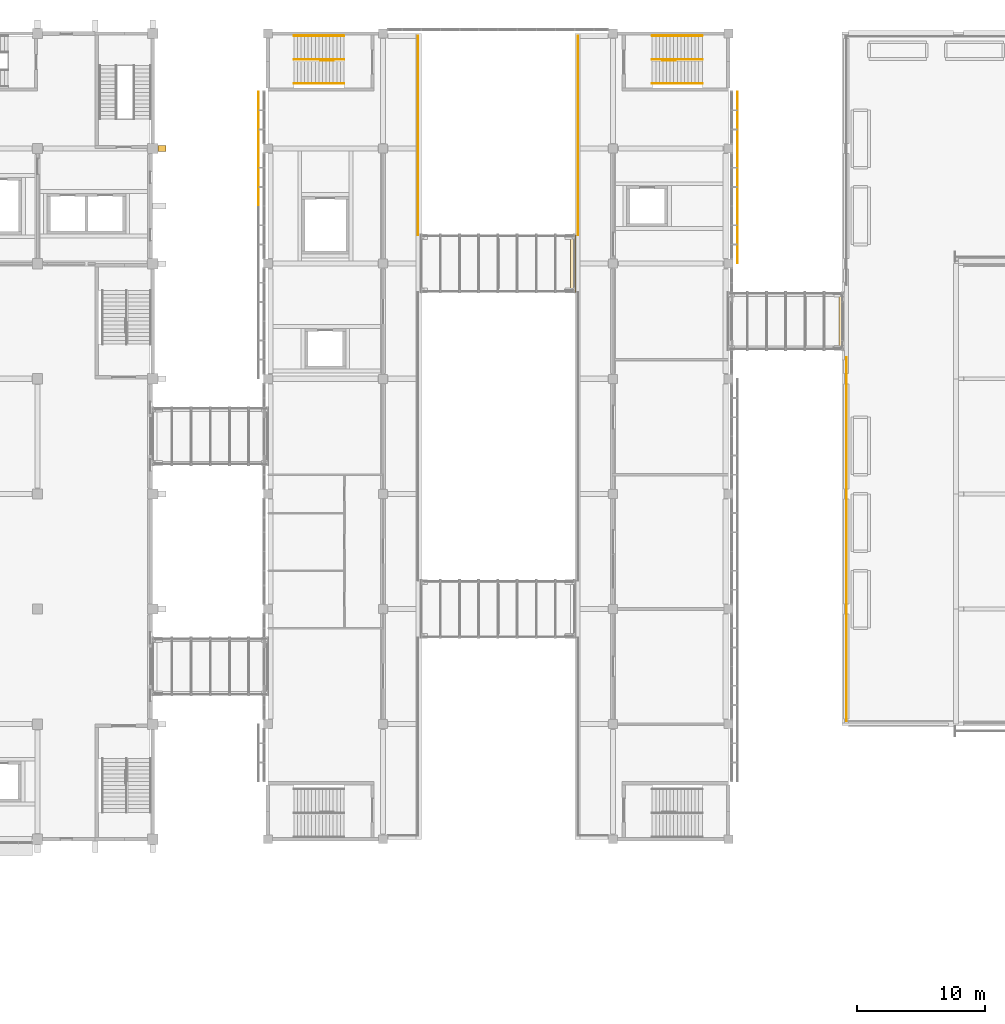
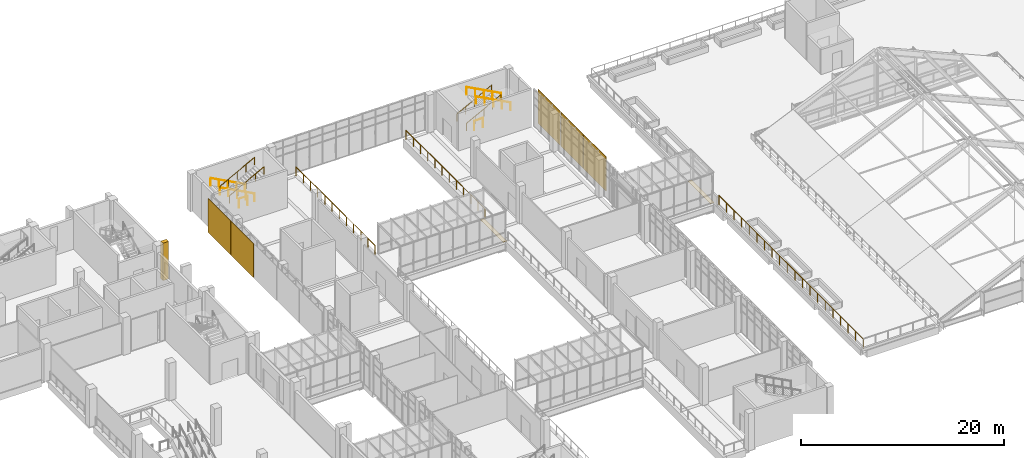
# One storey, part 101 of 106: 13 railings, 8 coverings.
"""IFC4 building model written with IfcOpenShell, lengths in metres."""

from ifc_helpers import new_model, si_unit, direction, frame, origin, origin_2d, place, context, subcontext, project, spatial, rectangle, circle, extrude, material, layer, layer_set, type_object, element, save


model = new_model("IFC4")

# Units and contexts
model_context = context("Model", 3, precision=1e-05, world=origin(), true_north=direction((0.0, 1.0)))
body_context = subcontext(model_context, "Body", "Model", "MODEL_VIEW")
ifc_project = project(units=[si_unit("LENGTHUNIT", "METRE"), si_unit("AREAUNIT", "SQUARE_METRE"), si_unit("VOLUMEUNIT", "CUBIC_METRE"), si_unit("PLANEANGLEUNIT", "RADIAN"), si_unit("MASSUNIT", "GRAM", prefix="KILO")], contexts=[model_context])

# Site, building, storey
site_placement = place(None, origin())
site = spatial("IfcSite", under=ifc_project, at=site_placement, CompositionType="ELEMENT")
building_placement = place(site_placement, origin())
building = spatial("IfcBuilding", under=site, at=building_placement, Name="Guidao Yard Department Store", CompositionType="ELEMENT")
storey_placement = place(building_placement, frame((0.0, 0.0, 10.5)))
storey = spatial("IfcBuildingStorey", under=building, at=storey_placement, Name="L02", CompositionType="ELEMENT", Elevation=10.5)

# Coverings
ifc_material_1 = material(Name="Stainless steel 316", Category="steel")
ifc_layer_1 = layer(ifc_material_1, 0.010009765625)
ifc_layer_set_1 = layer_set([ifc_layer_1], Name="Bridge joint cover JC1 stainless steel 10 x 425")
covering_type_1 = type_object("IfcCoveringType", Name="Bridge joint cover JC1 stainless steel 10 x 425", PredefinedType="FLOORING", material=ifc_layer_set_1)
for number, where, z_axis, x_axis, name in (
    (1, (116.887451171875, 85.5, 0.0), (0.0, 0.0, 1.0), (1.0, 0.0, 0.0), "Bridge joint cover plate BR08"),
    (2, (95.887451171875, 90.0, 0.0), (0.0, 0.0, 1.0), (1.0, 0.0, 0.0), "Bridge joint cover plate BR12"),
):
    element("IfcCovering", number, at=place(storey_placement, frame(where, z_axis=z_axis, x_axis=x_axis)), inside=storey, type_object=covering_type_1, Name=name, PredefinedType="FLOORING", context=body_context, shape_type="SweptSolid", body=[
        extrude(rectangle(XDim=0.425048828125, YDim=4.5, at=origin_2d()), origin(), (0.0, 0.0, 1.0), 0.010009765625),
    ])

# Railings
ifc_material_2 = material(Name="Steel Q235", Category="steel")
railing_type_1 = type_object("IfcRailingType", Name="Guard steel balustrade 1100", PredefinedType="GUARDRAIL", material=ifc_material_2)
railing_1_placement = place(storey_placement, frame((77.132080078125, 105.875, 0.0)))
element("IfcRailing", 3, at=railing_1_placement, inside=storey, type_object=railing_type_1, Name="Stair G2 guard L02 11", PredefinedType="GUARDRAIL", context=body_context, shape_type="SweptSolid", body=[
    extrude(circle(Radius=0.02392578125, at=origin_2d()), frame((0.0, 0.0, 1.076171875), z_axis=(-1.0, 0.0, 0.0), x_axis=(0.0, -1.0, 0.0)), (0.0, 0.0, 1.0), 1.0),
    extrude(circle(Radius=0.02099609375, at=origin_2d()), origin(), (0.0, 0.0, 1.0), 1.052001953125),
    extrude(circle(Radius=0.02099609375, at=origin_2d()), frame((-1.0, 0.0, 0.0)), (0.0, 0.0, 1.0), 1.052001953125),
])
railing_2_placement = place(storey_placement, frame((102.867919921875, 105.875, 0.0)))
element("IfcRailing", 4, at=railing_2_placement, inside=storey, type_object=railing_type_1, Name="Stair G4 guard L02 13", PredefinedType="GUARDRAIL", context=body_context, shape_type="SweptSolid", body=[
    extrude(circle(Radius=0.02392578125, at=origin_2d()), frame((0.0, 0.0, 1.076171875), z_axis=(1.0, 0.0, 0.0), x_axis=(0.0, 1.0, 0.0)), (0.0, 0.0, 1.0), 1.0),
    extrude(circle(Radius=0.02099609375, at=origin_2d()), origin(), (0.0, 0.0, 1.0), 1.052001953125),
    extrude(circle(Radius=0.02099609375, at=origin_2d()), frame((1.0, 0.0, 0.0)), (0.0, 0.0, 1.0), 1.052001953125),
])
for number, where, name in (
    (5, (83.75, 92.25, 0.0), "Guard gallery W3 L02"),
    (6, (96.25, 92.25, 0.0), "Guard gallery E3 L02"),
):
    element("IfcRailing", number, at=place(storey_placement, frame(where)), inside=storey, type_object=railing_type_1, Name=name, PredefinedType="GUARDRAIL", context=body_context, shape_type="SweptSolid", body=[
        extrude(circle(Radius=0.02392578125, at=origin_2d()), frame((0.0, 0.0, 1.076171875), z_axis=(0.0, 1.0, 0.0), x_axis=(-1.0, 0.0, 0.0)), (0.0, 0.0, 1.0), 15.550048828125),
        extrude(circle(Radius=0.02099609375, at=origin_2d()), origin(), (0.0, 0.0, 1.0), 1.052001953125),
        extrude(circle(Radius=0.02099609375, at=origin_2d()), frame((0.0, 1.41357421875, 0.0)), (0.0, 0.0, 1.0), 1.052001953125),
        extrude(circle(Radius=0.02099609375, at=origin_2d()), frame((0.0, 2.827392578125, 0.0)), (0.0, 0.0, 1.0), 1.052001953125),
        extrude(circle(Radius=0.02099609375, at=origin_2d()), frame((0.0, 4.240966796875, 0.0)), (0.0, 0.0, 1.0), 1.052001953125),
        extrude(circle(Radius=0.02099609375, at=origin_2d()), frame((0.0, 5.654541015625, 0.0)), (0.0, 0.0, 1.0), 1.052001953125),
        extrude(circle(Radius=0.02099609375, at=origin_2d()), frame((0.0, 7.068115234375, 0.0)), (0.0, 0.0, 1.0), 1.052001953125),
        extrude(circle(Radius=0.02099609375, at=origin_2d()), frame((0.0, 8.48193359375, 0.0)), (0.0, 0.0, 1.0), 1.052001953125),
        extrude(circle(Radius=0.02099609375, at=origin_2d()), frame((0.0, 9.8955078125, 0.0)), (0.0, 0.0, 1.0), 1.052001953125),
        extrude(circle(Radius=0.02099609375, at=origin_2d()), frame((0.0, 11.30908203125, 0.0)), (0.0, 0.0, 1.0), 1.052001953125),
        extrude(circle(Radius=0.02099609375, at=origin_2d()), frame((0.0, 12.72265625, 0.0)), (0.0, 0.0, 1.0), 1.052001953125),
        extrude(circle(Radius=0.02099609375, at=origin_2d()), frame((0.0, 14.136474609375, 0.0)), (0.0, 0.0, 1.0), 1.052001953125),
        extrude(circle(Radius=0.02099609375, at=origin_2d()), frame((0.0, 15.550048828125, 0.0)), (0.0, 0.0, 1.0), 1.052001953125),
    ])
ifc_material_3 = material(Name="Steel Q235", Category="steel")
railing_type_2 = type_object("IfcRailingType", Name="Guard steel balustrade 1200", PredefinedType="GUARDRAIL", material=ifc_material_3)
railing_3_placement = place(storey_placement, frame((117.25, 54.25, 0.0)))
element("IfcRailing", 7, at=railing_3_placement, inside=storey, type_object=railing_type_2, Name="Guard garden ROOF-F 1 L02", PredefinedType="GUARDRAIL", context=body_context, shape_type="SweptSolid", body=[
    extrude(circle(Radius=0.02392578125, at=origin_2d()), frame((0.0, 0.0, 1.17578125), z_axis=(0.0, 1.0, 0.0), x_axis=(-1.0, 0.0, 0.0)), (0.0, 0.0, 1.0), 28.39990234375),
    extrude(circle(Radius=0.02099609375, at=origin_2d()), origin(), (0.0, 0.0, 1.0), 1.15185546875),
    extrude(circle(Radius=0.02099609375, at=origin_2d()), frame((0.0, 1.49462890625, 0.0)), (0.0, 0.0, 1.0), 1.15185546875),
    extrude(circle(Radius=0.02099609375, at=origin_2d()), frame((0.0, 2.989501953125, 0.0)), (0.0, 0.0, 1.0), 1.15185546875),
    extrude(circle(Radius=0.02099609375, at=origin_2d()), frame((0.0, 4.484130859375, 0.0)), (0.0, 0.0, 1.0), 1.15185546875),
    extrude(circle(Radius=0.02099609375, at=origin_2d()), frame((0.0, 5.97900390625, 0.0)), (0.0, 0.0, 1.0), 1.15185546875),
    extrude(circle(Radius=0.02099609375, at=origin_2d()), frame((0.0, 7.4736328125, 0.0)), (0.0, 0.0, 1.0), 1.15185546875),
    extrude(circle(Radius=0.02099609375, at=origin_2d()), frame((0.0, 8.968505859375, 0.0)), (0.0, 0.0, 1.0), 1.15185546875),
    extrude(circle(Radius=0.02099609375, at=origin_2d()), frame((0.0, 10.463134765625, 0.0)), (0.0, 0.0, 1.0), 1.15185546875),
    extrude(circle(Radius=0.02099609375, at=origin_2d()), frame((0.0, 11.957763671875, 0.0)), (0.0, 0.0, 1.0), 1.15185546875),
    extrude(circle(Radius=0.02099609375, at=origin_2d()), frame((0.0, 13.45263671875, 0.0)), (0.0, 0.0, 1.0), 1.15185546875),
    extrude(circle(Radius=0.02099609375, at=origin_2d()), frame((0.0, 14.947265625, 0.0)), (0.0, 0.0, 1.0), 1.15185546875),
    extrude(circle(Radius=0.02099609375, at=origin_2d()), frame((0.0, 16.442138671875, 0.0)), (0.0, 0.0, 1.0), 1.15185546875),
    extrude(circle(Radius=0.02099609375, at=origin_2d()), frame((0.0, 17.936767578125, 0.0)), (0.0, 0.0, 1.0), 1.15185546875),
    extrude(circle(Radius=0.02099609375, at=origin_2d()), frame((0.0, 19.431396484375, 0.0)), (0.0, 0.0, 1.0), 1.15185546875),
    extrude(circle(Radius=0.02099609375, at=origin_2d()), frame((0.0, 20.92626953125, 0.0)), (0.0, 0.0, 1.0), 1.15185546875),
    extrude(circle(Radius=0.02099609375, at=origin_2d()), frame((0.0, 22.4208984375, 0.0)), (0.0, 0.0, 1.0), 1.15185546875),
    extrude(circle(Radius=0.02099609375, at=origin_2d()), frame((0.0, 23.915771484375, 0.0)), (0.0, 0.0, 1.0), 1.15185546875),
    extrude(circle(Radius=0.02099609375, at=origin_2d()), frame((0.0, 25.410400390625, 0.0)), (0.0, 0.0, 1.0), 1.15185546875),
    extrude(circle(Radius=0.02099609375, at=origin_2d()), frame((0.0, 26.9052734375, 0.0)), (0.0, 0.0, 1.0), 1.15185546875),
    extrude(circle(Radius=0.02099609375, at=origin_2d()), frame((0.0, 28.39990234375, 0.0)), (0.0, 0.0, 1.0), 1.15185546875),
])
ifc_material_4 = material(Name="Steel Q235", Category="steel")
railing_type_3 = type_object("IfcRailingType", Name="Handrail steel tube 48", PredefinedType="HANDRAIL", material=ifc_material_4)
for number, where, name in (
    (8, (77.949951171875, 107.81494140625, 0.14990234375), "Stair G2 hand rail L02 37"),
    (9, (77.949951171875, 105.949951171875, 0.14990234375), "Stair G2 hand rail L02 38"),
):
    element("IfcRailing", number, at=place(storey_placement, frame(where)), inside=storey, type_object=railing_type_3, Name=name, PredefinedType="HANDRAIL", context=body_context, shape_type="SweptSolid", body=[
        extrude(circle(Radius=0.02392578125, at=origin_2d()), frame((0.0, 0.0, 0.8759765625), z_axis=(-0.881466911329, 0.0, 0.472245787945), x_axis=(0.0, -1.0, 0.0)), (0.0, 0.0, 1.0), 4.447021484375),
        extrude(circle(Radius=0.02099609375, at=origin_2d()), origin(), (0.0, 0.0, 1.0), 0.851806640625),
        extrude(circle(Radius=0.02099609375, at=origin_2d()), frame((-0.97998046875, 0.0, 0.52490234375)), (0.0, 0.0, 1.0), 0.851806640625),
        extrude(circle(Radius=0.02099609375, at=origin_2d()), frame((-1.9599609375, 0.0, 1.050048828125)), (0.0, 0.0, 1.0), 0.851806640625),
        extrude(circle(Radius=0.02099609375, at=origin_2d()), frame((-2.93994140625, 0.0, 1.5751953125)), (0.0, 0.0, 1.0), 0.851806640625),
        extrude(circle(Radius=0.02099609375, at=origin_2d()), frame((-3.919921875, 0.0, 2.10009765625)), (0.0, 0.0, 1.0), 0.851806640625),
    ])
for number, where, name in (
    (10, (74.030029296875, 104.0849609375, 2.39990234375), "Stair G2 hand rail L02 39"),
    (11, (74.030029296875, 105.949951171875, 2.39990234375), "Stair G2 hand rail L02 40"),
    (12, (102.050048828125, 107.81494140625, 0.14990234375), "Stair G4 hand rail L02 45"),
    (13, (102.050048828125, 105.949951171875, 0.14990234375), "Stair G4 hand rail L02 46"),
):
    element("IfcRailing", number, at=place(storey_placement, frame(where)), inside=storey, type_object=railing_type_3, Name=name, PredefinedType="HANDRAIL", context=body_context, shape_type="SweptSolid", body=[
        extrude(circle(Radius=0.02392578125, at=origin_2d()), frame((0.0, 0.0, 0.8759765625), z_axis=(0.881466911329, 0.0, 0.472245787945), x_axis=(0.0, 1.0, 0.0)), (0.0, 0.0, 1.0), 4.447021484375),
        extrude(circle(Radius=0.02099609375, at=origin_2d()), origin(), (0.0, 0.0, 1.0), 0.851806640625),
        extrude(circle(Radius=0.02099609375, at=origin_2d()), frame((0.97998046875, 0.0, 0.52490234375)), (0.0, 0.0, 1.0), 0.851806640625),
        extrude(circle(Radius=0.02099609375, at=origin_2d()), frame((1.9599609375, 0.0, 1.050048828125)), (0.0, 0.0, 1.0), 0.851806640625),
        extrude(circle(Radius=0.02099609375, at=origin_2d()), frame((2.93994140625, 0.0, 1.5751953125)), (0.0, 0.0, 1.0), 0.851806640625),
        extrude(circle(Radius=0.02099609375, at=origin_2d()), frame((3.919921875, 0.0, 2.10009765625)), (0.0, 0.0, 1.0), 0.851806640625),
    ])
for number, where, name in (
    (14, (105.969970703125, 104.0849609375, 2.39990234375), "Stair G4 hand rail L02 47"),
    (15, (105.969970703125, 105.949951171875, 2.39990234375), "Stair G4 hand rail L02 48"),
):
    element("IfcRailing", number, at=place(storey_placement, frame(where)), inside=storey, type_object=railing_type_3, Name=name, PredefinedType="HANDRAIL", context=body_context, shape_type="SweptSolid", body=[
        extrude(circle(Radius=0.02392578125, at=origin_2d()), frame((0.0, 0.0, 0.8759765625), z_axis=(-0.881466911329, 0.0, 0.472245787945), x_axis=(0.0, -1.0, 0.0)), (0.0, 0.0, 1.0), 4.447021484375),
        extrude(circle(Radius=0.02099609375, at=origin_2d()), origin(), (0.0, 0.0, 1.0), 0.851806640625),
        extrude(circle(Radius=0.02099609375, at=origin_2d()), frame((-0.97998046875, 0.0, 0.52490234375)), (0.0, 0.0, 1.0), 0.851806640625),
        extrude(circle(Radius=0.02099609375, at=origin_2d()), frame((-1.9599609375, 0.0, 1.050048828125)), (0.0, 0.0, 1.0), 0.851806640625),
        extrude(circle(Radius=0.02099609375, at=origin_2d()), frame((-2.93994140625, 0.0, 1.5751953125)), (0.0, 0.0, 1.0), 0.851806640625),
        extrude(circle(Radius=0.02099609375, at=origin_2d()), frame((-3.919921875, 0.0, 2.10009765625)), (0.0, 0.0, 1.0), 0.851806640625),
    ])

# Coverings
ifc_material_5 = material(Name="Galvanised steel Q235 perforated plate", Category="steel")
ifc_layer_2 = layer(ifc_material_5, 0.0400390625)
ifc_layer_set_2 = layer_set([ifc_layer_2], Name="Perforated screen PS1 galvanised steel")
covering_type_2 = type_object("IfcCoveringType", Name="Perforated screen PS1 galvanised steel", PredefinedType="CLADDING", material=ifc_layer_set_2)
for number, where, z_axis, x_axis, name in (
    (16, (71.27001953125, 96.75, 0.199951171875), (0.0, 0.0, 1.0), (0.0, 1.0, 0.0), "Perforated screen"),
    (17, (71.27001953125, 101.25, 0.199951171875), (0.0, 0.0, 1.0), (0.0, 1.0, 0.0), "Perforated screen"),
    (18, (108.72998046875, 92.25, 0.199951171875), (0.0, 0.0, 1.0), (0.0, -1.0, 0.0), "Perforated screen"),
    (19, (108.72998046875, 96.75, 0.199951171875), (0.0, 0.0, 1.0), (0.0, -1.0, 0.0), "Perforated screen"),
    (20, (108.72998046875, 101.25, 0.199951171875), (0.0, 0.0, 1.0), (0.0, -1.0, 0.0), "Perforated screen"),
):
    element("IfcCovering", number, at=place(storey_placement, frame(where, z_axis=z_axis, x_axis=x_axis)), inside=storey, type_object=covering_type_2, Name=name, PredefinedType="CLADDING", context=body_context, shape_type="SweptSolid", body=[
        extrude(rectangle(XDim=4.39990234375, YDim=0.0400390625, at=origin_2d()), origin(), (0.0, 0.0, 1.0), 4.10009765625),
    ])
ifc_material_6 = material(Name="Precast concrete C40/50", Category="concrete")
ifc_layer_3 = layer(ifc_material_6, 0.449951171875)
ifc_layer_set_3 = layer_set([ifc_layer_3], Name="Precast fin FN1 board-formed concrete")
covering_type_3 = type_object("IfcCoveringType", Name="Precast fin FN1 board-formed concrete", PredefinedType="CLADDING", material=ifc_layer_set_3)
covering_placement = place(storey_placement, frame((63.72509765625, 99.0, 0.0), z_axis=(0.0, 0.0, 1.0), x_axis=(0.0, -1.0, 0.0)))
element("IfcCovering", 21, at=covering_placement, inside=storey, type_object=covering_type_3, Name="Precast fin", PredefinedType="CLADDING", context=body_context, shape_type="SweptSolid", body=[
    extrude(rectangle(XDim=0.449951171875, YDim=0.64990234375, at=origin_2d()), origin(), (0.0, 0.0, 1.0), 4.5),
])

save(model, "model.ifc")
